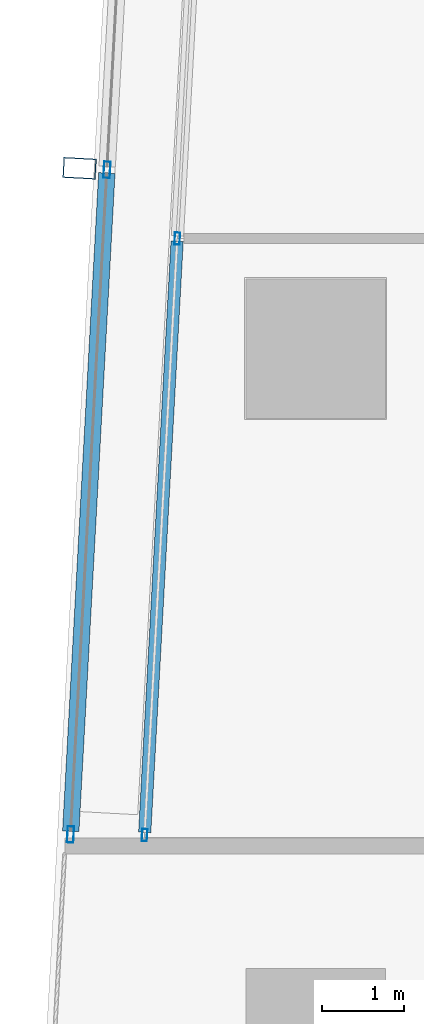
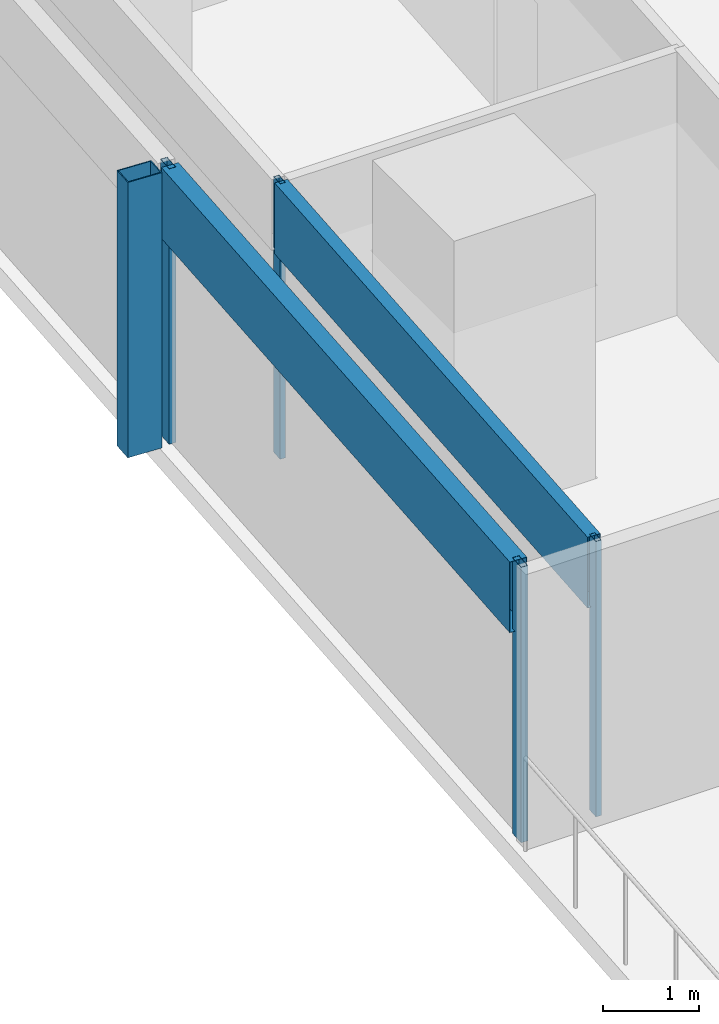
# One storey, part 5 of 38: 7 members, 2 elements without a shape of their own.
"""IFC4 building model written with IfcOpenShell, lengths in metres."""

from ifc_helpers import new_model, si_unit, direction, frame, origin, origin_2d, place, context, subcontext, project, spatial, hollow_rectangle, extrude, material, material_profile, profile_set, type_object, element, aggregate, save


model = new_model("IFC4")

# Units and contexts
model_context = context("Model", 3, precision=1e-05, world=origin(), true_north=direction((0.0, 1.0)))
body_context = subcontext(model_context, "Body", "Model", "MODEL_VIEW")
ifc_project = project(units=[si_unit("LENGTHUNIT", "METRE"), si_unit("AREAUNIT", "SQUARE_METRE"), si_unit("VOLUMEUNIT", "CUBIC_METRE"), si_unit("PLANEANGLEUNIT", "RADIAN"), si_unit("MASSUNIT", "GRAM", prefix="KILO")], contexts=[model_context])

# Site, building, storey
site_placement = place(None, origin())
site = spatial("IfcSite", under=ifc_project, at=site_placement, CompositionType="ELEMENT")
building_placement = place(site_placement, origin())
building = spatial("IfcBuilding", under=site, at=building_placement, Name="Rekha Terrace Tower", CompositionType="ELEMENT")
storey_placement = place(building_placement, frame((0.0, 0.0, 114.050048828125)))
storey = spatial("IfcBuildingStorey", under=building, at=storey_placement, Name="L28", CompositionType="ELEMENT", Elevation=114.050048828125)

# Curtain wall, member
ifc_material_1 = material(Name="Aluminium framing", Category="aluminium")
curtain_wall_type_1 = type_object("IfcCurtainWallType", Name="CW2 double skin outer glazing", PredefinedType="USERDEFINED", material=ifc_material_1)
curtain_wall_1_placement = place(storey_placement, origin())
curtain_wall_1 = element("IfcCurtainWall", 1, at=curtain_wall_1_placement, inside=storey, type_object=curtain_wall_type_1, Name="CW2 double skin outer glazing", ObjectType="DOUBLE SKIN OUTER GLAZING", PredefinedType="USERDEFINED")
ifc_material_2 = material(Name="Steel S355 with fluorocarbon finish", Category="steel")
ifc_material_profile_1 = material_profile(ifc_material_2, hollow_rectangle(XDim=0.25, YDim=0.39990234375, WallThickness=0.012451171875, at=origin_2d()), Name="RHS400x250x12.5")
ifc_profile_set_1 = profile_set([ifc_material_profile_1], Name="Steel S355 with fluorocarbon finish")
member_type_1 = type_object("IfcMemberType", Name="BL1 facade blade RHS 400 x 250", PredefinedType="USERDEFINED", material=ifc_profile_set_1)
member_1_placement = place(storey_placement, frame((5.525390625, 44.19580078125, 0.0), z_axis=(0.0, 0.0, 1.0), x_axis=(-0.054742798353, -0.998500488747, 0.0)))
member_1 = element("IfcMember", 2, at=member_1_placement, type_object=member_type_1, Name="Facade blade", ObjectType="FACADE BLADE", PredefinedType="USERDEFINED", context=body_context, shape_type="SweptSolid", body=[
    extrude(hollow_rectangle(XDim=0.25, YDim=0.39990234375, WallThickness=0.012451171875, at=origin_2d()), origin(), (0.0, 0.0, 1.0), 3.5),
])

# Curtain wall, members
curtain_wall_type_2 = type_object("IfcCurtainWallType", Name="CW1 double skin inner glazing", PredefinedType="USERDEFINED", material=ifc_material_1)
curtain_wall_2_placement = place(storey_placement, origin())
curtain_wall_2 = element("IfcCurtainWall", 3, at=curtain_wall_2_placement, inside=storey, type_object=curtain_wall_type_2, Name="CW1 double skin inner glazing", ObjectType="DOUBLE SKIN INNER GLAZING", PredefinedType="USERDEFINED")
ifc_material_3 = material(Name="Aluminium mullion section", Category="aluminium")
ifc_material_profile_2 = material_profile(ifc_material_3, hollow_rectangle(XDim=0.06494140625, YDim=0.14990234375, WallThickness=0.00390625, at=origin_2d()), Name="AL RHS 65x150")
ifc_profile_set_2 = profile_set([ifc_material_profile_2], Name="Aluminium mullion section")
member_type_2 = type_object("IfcMemberType", Name="CW1 mullion RHS 65 x 150", PredefinedType="MULLION", material=ifc_profile_set_2)
member_2_placement = place(storey_placement, frame((6.71533203125, 43.33935546875, 0.0), z_axis=(0.0, 0.0, 1.0), x_axis=(0.998500513181, -0.05474235269, 0.0)))
member_2 = element("IfcMember", 4, at=member_2_placement, type_object=member_type_2, Name="CW1 mullion 3", PredefinedType="MULLION", context=body_context, shape_type="SweptSolid", body=[
    extrude(hollow_rectangle(XDim=0.06494140625, YDim=0.14990234375, WallThickness=0.00390625, at=origin_2d()), origin(), (0.0, 0.0, 1.0), 3.5),
])
member_3_placement = place(storey_placement, frame((6.317138671875, 36.075439453125, 0.0), z_axis=(0.0, 0.0, 1.0), x_axis=(0.998500513181, -0.05474235269, 0.0)))
member_3 = element("IfcMember", 5, at=member_3_placement, type_object=member_type_2, Name="CW1 mullion 4", PredefinedType="MULLION", context=body_context, shape_type="SweptSolid", body=[
    extrude(hollow_rectangle(XDim=0.06494140625, YDim=0.14990234375, WallThickness=0.00390625, at=origin_2d()), origin(), (0.0, 0.0, 1.0), 3.5),
])
ifc_material_4 = material(Name="Insulated aluminium spandrel box", Category="aluminium")
ifc_material_profile_3 = material_profile(ifc_material_4, hollow_rectangle(XDim=0.14990234375, YDim=0.89990234375, WallThickness=0.0029296875, at=origin_2d()), Name="AL SPANDREL BOX 150x900")
ifc_profile_set_3 = profile_set([ifc_material_profile_3], Name="Insulated aluminium spandrel box")
member_type_3 = type_object("IfcMemberType", Name="CW1 spandrel transom 150 x 900", PredefinedType="USERDEFINED", material=ifc_profile_set_3)
member_4_placement = place(storey_placement, frame((6.713623046875, 43.306884765625, 3.050048828125), z_axis=(-0.05475545725, -0.998499794643, 0.0), x_axis=(0.998499794643, -0.05475545725, 0.0)))
member_4 = element("IfcMember", 6, at=member_4_placement, type_object=member_type_3, Name="CW1 spandrel transom 3", ObjectType="TRANSOM", PredefinedType="USERDEFINED", context=body_context, shape_type="SweptSolid", body=[
    extrude(hollow_rectangle(XDim=0.14990234375, YDim=0.89990234375, WallThickness=0.0029296875, at=origin_2d()), origin(), (0.0, 0.0, 1.0), 7.209716796875),
])
aggregate(curtain_wall_2, [member_2, member_3, member_4])

# Member
ifc_material_profile_4 = material_profile(ifc_material_3, hollow_rectangle(XDim=0.080078125, YDim=0.199951171875, WallThickness=0.00390625, at=origin_2d()), Name="AL RHS 80x200")
ifc_profile_set_4 = profile_set([ifc_material_profile_4], Name="Aluminium mullion section")
member_type_4 = type_object("IfcMemberType", Name="CW2 mullion RHS 80 x 200", PredefinedType="MULLION", material=ifc_profile_set_4)
member_5_placement = place(storey_placement, frame((5.85986328125, 44.17724609375, 0.0), z_axis=(0.0, 0.0, 1.0), x_axis=(0.99850051318, -0.054742352707, 0.0)))
member_5 = element("IfcMember", 7, at=member_5_placement, type_object=member_type_4, Name="CW2 mullion 3", PredefinedType="MULLION", context=body_context, shape_type="SweptSolid", body=[
    extrude(hollow_rectangle(XDim=0.080078125, YDim=0.199951171875, WallThickness=0.00390625, at=origin_2d()), origin(), (0.0, 0.0, 1.0), 3.5),
])

member_6_placement = place(storey_placement, frame((5.416015625, 36.0830078125, 0.0), z_axis=(0.0, 0.0, 1.0), x_axis=(0.99850051318, -0.054742352707, 0.0)))
member_6 = element("IfcMember", 8, at=member_6_placement, type_object=member_type_4, Name="CW2 mullion 4", PredefinedType="MULLION", context=body_context, shape_type="SweptSolid", body=[
    extrude(hollow_rectangle(XDim=0.080078125, YDim=0.199951171875, WallThickness=0.00390625, at=origin_2d()), origin(), (0.0, 0.0, 1.0), 3.5),
])

ifc_material_profile_5 = material_profile(ifc_material_4, hollow_rectangle(XDim=0.199951171875, YDim=0.89990234375, WallThickness=0.0029296875, at=origin_2d()), Name="AL SPANDREL BOX 200x900")
ifc_profile_set_5 = profile_set([ifc_material_profile_5], Name="Insulated aluminium spandrel box")
member_type_5 = type_object("IfcMemberType", Name="CW2 spandrel transom 200 x 900", PredefinedType="USERDEFINED", material=ifc_profile_set_5)
member_7_placement = place(storey_placement, frame((5.857666015625, 44.137451171875, 3.050048828125), z_axis=(-0.054749002906, -0.998500148563, 0.0), x_axis=(0.998500148563, -0.054749002906, 0.0)))
member_7 = element("IfcMember", 9, at=member_7_placement, type_object=member_type_5, Name="CW2 spandrel transom 3", ObjectType="TRANSOM", PredefinedType="USERDEFINED", context=body_context, shape_type="SweptSolid", body=[
    extrude(hollow_rectangle(XDim=0.199951171875, YDim=0.89990234375, WallThickness=0.0029296875, at=origin_2d()), origin(), (0.0, 0.0, 1.0), 8.026611328125),
])

aggregate(curtain_wall_1, [member_5, member_6, member_7, member_1])

save(model, "model.ifc")
